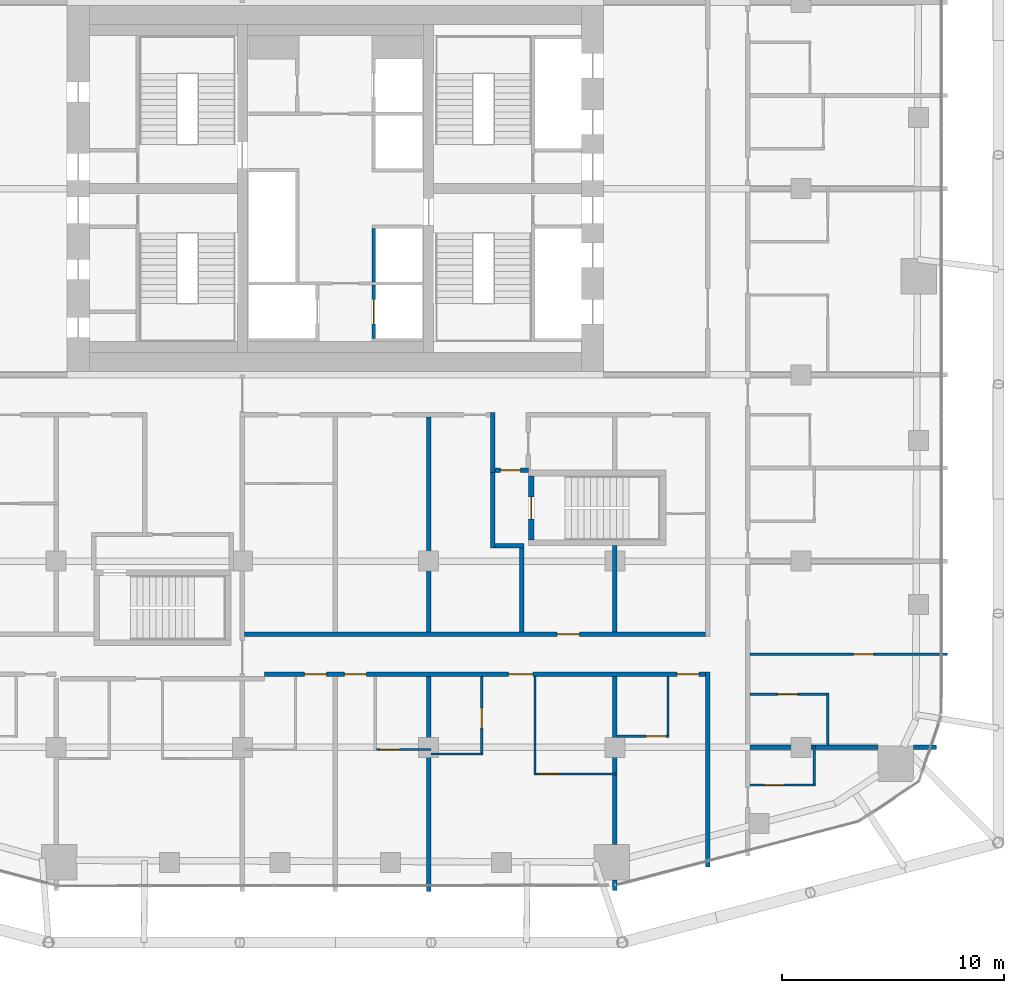
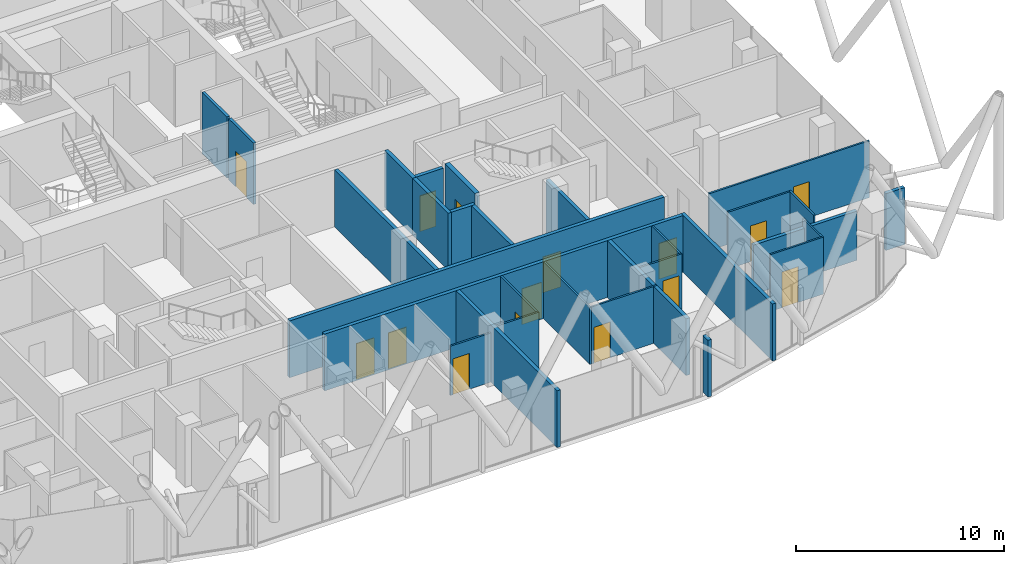
# One storey, part 29 of 36: 30 walls, 15 doors, 15 openings.
"""IFC4 building model written with IfcOpenShell, lengths in metres."""

import ifcopenshell
import ifcopenshell.guid

model = None  # the IFC model being written
_history = None  # IfcOwnerHistory: only IFC2X3 demands one
_inside = {}  # id of a spatial element -> (the spatial element, [elements in it])
_under = {}  # id of a project, library or spatial element -> (it, [spatial elements below it])
_declared = {}  # id of a project -> (the project, [libraries it declares])
_typed = {}  # id of a type object -> (the type object, [elements of that type])
_made_of = {}  # id of a material, layer set ... -> (it, [elements and type objects made of it])


def new_model(schema):
    """Start an empty IFC model of exactly this schema.

    Asked for "IFC4X3", IfcOpenShell would pick the latest addendum, in which some entities
    have other attributes; the version numbers below select the first issue.
    IFC2X3 requires an IfcOwnerHistory on every rooted entity: one is made here for all.
    """
    global model, _history
    if schema == "IFC4X3":
        model = ifcopenshell.file(schema_version=(4, 3, 0, 0))
    else:
        model = ifcopenshell.file(schema=schema)
    _inside.clear()
    _under.clear()
    _declared.clear()
    _typed.clear()
    _made_of.clear()
    _history = None
    if model.schema == "IFC2X3":
        org = make("IfcOrganization", Name="unknown")
        user = make(
            "IfcPersonAndOrganization",
            ThePerson=make("IfcPerson", FamilyName="unknown"),
            TheOrganization=org,
        )
        app = make(
            "IfcApplication",
            ApplicationDeveloper=org,
            Version="unknown",
            ApplicationFullName="unknown",
            ApplicationIdentifier="unknown",
        )
        _history = make(
            "IfcOwnerHistory",
            OwningUser=user,
            OwningApplication=app,
            ChangeAction="ADDED",
            CreationDate=0,
        )
    return model


def make(cls, **values):
    """One entity of the class cls with the attributes given. An attribute that is None is left unset."""
    return model.create_entity(
        cls, **{name: value for name, value in values.items() if value is not None}
    )


def rooted(cls, **values):
    """An entity with a GlobalId (a new one), such as an element, a storey or a relation."""
    return make(cls, GlobalId=ifcopenshell.guid.new(), OwnerHistory=_history, **values)


def si_unit(unit_type, name, prefix=None):
    """IfcSIUnit, for example si_unit("LENGTHUNIT", "METRE", prefix="MILLI")."""
    return make("IfcSIUnit", UnitType=unit_type, Prefix=prefix, Name=name)


def assignment(units):
    """IfcUnitAssignment: the units of a project."""
    return None if units is None else make("IfcUnitAssignment", Units=units)


def point(xyz):
    """IfcCartesianPoint."""
    return None if xyz is None else make("IfcCartesianPoint", Coordinates=xyz)


def direction(xyz):
    """IfcDirection."""
    return None if xyz is None else make("IfcDirection", DirectionRatios=xyz)


def frame(location, z_axis=None, x_axis=None):
    """IfcAxis2Placement3D, a coordinate frame: its origin and axes. An axis left out is left unset."""
    return make(
        "IfcAxis2Placement3D",
        Location=point(location),
        Axis=direction(z_axis),
        RefDirection=direction(x_axis),
    )


def frame_2d(location, x_axis=None):
    """IfcAxis2Placement2D, a coordinate frame in the plane: its origin and x axis."""
    return make(
        "IfcAxis2Placement2D", Location=point(location), RefDirection=direction(x_axis)
    )


def origin():
    """The frame at (0, 0, 0) with its axes left unset."""
    return frame((0.0, 0.0, 0.0))


def place(relative_to, where):
    """IfcLocalPlacement: puts the frame where relative to a parent placement (None: the world)."""
    return make(
        "IfcLocalPlacement", PlacementRelTo=relative_to, RelativePlacement=where
    )


def context(
    kind, dimensions, precision=None, world=None, true_north=None, identifier=None
):
    """IfcGeometricRepresentationContext, for example the 3D "Model" context."""
    return make(
        "IfcGeometricRepresentationContext",
        ContextIdentifier=identifier,
        ContextType=kind,
        CoordinateSpaceDimension=dimensions,
        Precision=precision,
        WorldCoordinateSystem=world,
        TrueNorth=true_north,
    )


def subcontext(parent, identifier, kind, view, scale=None):
    """IfcGeometricRepresentationSubContext, for example "Body" below "Model"."""
    return make(
        "IfcGeometricRepresentationSubContext",
        ContextIdentifier=identifier,
        ContextType=kind,
        ParentContext=parent,
        TargetScale=scale,
        TargetView=view,
    )


def project(units=None, contexts=None):
    """IfcProject with its units and contexts."""
    return rooted(
        "IfcProject",
        Name="project",
        RepresentationContexts=contexts,
        UnitsInContext=assignment(units),
    )


def spatial(cls, under=None, at=None, **own):
    """A site, building, storey or space (cls), placed at a placement, below another one or the project."""
    s = rooted(cls, ObjectPlacement=at, **own)
    if under is not None:
        _under.setdefault(under.id(), (under, []))[1].append(s)
    return s


def profile(cls, at=None, kind="AREA", **sizes):
    """A parametric profile (cls). Its sizes go by their IFC names, for example OverallWidth=200.0."""
    return make(cls, ProfileType=kind, Position=at, **sizes)


def rectangle(**sizes):
    """IfcRectangleProfileDef."""
    return profile("IfcRectangleProfileDef", **sizes)


def extrude(swept, where, along, depth):
    """IfcExtrudedAreaSolid: the profile swept, set in the frame where, extruded along a direction by depth."""
    return make(
        "IfcExtrudedAreaSolid",
        SweptArea=swept,
        Position=where,
        ExtrudedDirection=direction(along),
        Depth=depth,
    )


def shape(context_of_items, identifier, shape_type, items):
    """IfcShapeRepresentation: the items that make up one representation, for example the "Body"."""
    return make(
        "IfcShapeRepresentation",
        ContextOfItems=context_of_items,
        RepresentationIdentifier=identifier,
        RepresentationType=shape_type,
        Items=items,
    )


def material(Name=None, Category=None):
    """IfcMaterial."""
    return make("IfcMaterial", Name=Name, Category=Category)


def layer(
    of_material, thickness, ventilated=None, Name=None, Category=None, Priority=None
):
    """IfcMaterialLayer: one layer of a wall or slab, of a material (None: an air gap)."""
    return make(
        "IfcMaterialLayer",
        Material=of_material,
        LayerThickness=thickness,
        IsVentilated=ventilated,
        Name=Name,
        Category=Category,
        Priority=Priority,
    )


def layer_set(layers, Name=None):
    """IfcMaterialLayerSet."""
    return make("IfcMaterialLayerSet", MaterialLayers=layers, LayerSetName=Name)


def made_of(thing, what):
    """Note that an element or type object is made of a material, layer set ...; save() writes the relation."""
    if what is not None:
        _made_of.setdefault(what.id(), (what, []))[1].append(thing)
    return thing


def type_object(cls, material=None, **own):
    """A type object (cls), such as IfcWallType, which elements share."""
    return made_of(rooted(cls, **own), material)


def element(
    cls,
    number,
    at=None,
    inside=None,
    cuts=None,
    type_object=None,
    material=None,
    context=None,
    identifier="Body",
    shape_type=None,
    held_by="IfcProductDefinitionShape",
    body=None,
    shapes=None,
    **own,
):
    """One element of the class cls, such as IfcWall. Its Tag is "e" and its number.

    at: its placement. inside: the storey or other place that contains it. cuts: it is an
    opening in that element (IfcRelVoidsElement). A single representation is given by context,
    identifier, shape_type and body (its items); several are given by shapes. held_by: the class
    of the entity that holds the representations. save() writes the other relations.
    """
    e = rooted(cls, Tag="e%d" % number, ObjectPlacement=at, **own)
    if body is not None:
        shapes = [shape(context, identifier, shape_type, body)]
    if shapes is not None:
        e.Representation = make(held_by, Representations=shapes)
    if inside is not None:
        _inside.setdefault(inside.id(), (inside, []))[1].append(e)
    if cuts is not None:
        rooted(
            "IfcRelVoidsElement", RelatingBuildingElement=cuts, RelatedOpeningElement=e
        )
    if type_object is not None:
        _typed.setdefault(type_object.id(), (type_object, []))[1].append(e)
    return made_of(e, material)


def fill(opening, filler):
    """IfcRelFillsElement: the door or window that sits in an opening."""
    return rooted(
        "IfcRelFillsElement",
        RelatingOpeningElement=opening,
        RelatedBuildingElement=filler,
    )


def aggregate(whole, parts):
    """IfcRelAggregates: a whole, such as a stair, and the parts it consists of."""
    return rooted("IfcRelAggregates", RelatingObject=whole, RelatedObjects=parts)


def save(model, path):
    """Write the relations noted so far, then the file.

    IfcRelAggregates (storeys below a building ...), IfcRelContainedInSpatialStructure (elements
    in a storey), IfcRelDefinesByType, IfcRelAssociatesMaterial and IfcRelDeclares: one each for
    every whole, place, type object, material and project.
    """
    for whole, parts in _under.values():
        aggregate(whole, parts)
    for where, things in _inside.values():
        rooted(
            "IfcRelContainedInSpatialStructure",
            RelatedElements=things,
            RelatingStructure=where,
        )
    for kind, things in _typed.values():
        rooted("IfcRelDefinesByType", RelatedObjects=things, RelatingType=kind)
    for what, things in _made_of.values():
        rooted("IfcRelAssociatesMaterial", RelatedObjects=things, RelatingMaterial=what)
    for by, libraries in _declared.values():
        rooted("IfcRelDeclares", RelatingContext=by, RelatedDefinitions=libraries)
    model.write(path)


model = new_model("IFC4")

# Units and contexts
model_context = context("Model", 3, precision=1e-05, world=origin(), true_north=direction((0.0, 1.0)))
body_context = subcontext(model_context, "Body", "Model", "MODEL_VIEW")
ifc_project = project(units=[si_unit("LENGTHUNIT", "METRE"), si_unit("AREAUNIT", "SQUARE_METRE"), si_unit("VOLUMEUNIT", "CUBIC_METRE"), si_unit("PLANEANGLEUNIT", "RADIAN"), si_unit("MASSUNIT", "GRAM", prefix="KILO")], contexts=[model_context])

# Site, building, storey
site_placement = place(None, origin())
site = spatial("IfcSite", under=ifc_project, at=site_placement, CompositionType="ELEMENT")
building_placement = place(site_placement, origin())
building = spatial("IfcBuilding", under=site, at=building_placement, Name="Marenta Gate Hotel Tower", CompositionType="ELEMENT")
storey_placement = place(building_placement, frame((0.0, 0.0, 130.10009765625)))
storey = spatial("IfcBuildingStorey", under=building, at=storey_placement, Name="L29", CompositionType="ELEMENT", Elevation=130.10009765625)

# Wall, opening, door
ifc_material_1 = material(Name="Concrete C40", Category="concrete")
ifc_layer_1 = layer(ifc_material_1, 0.14990234375)
ifc_layer_set_1 = layer_set([ifc_layer_1], Name="Concrete C40")
wall_type_1 = type_object("IfcWallType", Name="Core shaft wall 150 REI 180", PredefinedType="SHEAR", material=ifc_layer_set_1)
wall_1_placement = place(storey_placement, frame((1.72509765625, 1.64990234375, 0.0), z_axis=(0.0, 0.0, 1.0), x_axis=(0.0, 1.0, 0.0)))
wall_1 = element("IfcWall", 1, at=wall_1_placement, inside=storey, type_object=wall_type_1, Name="L29-SHF-CE-S-ls", PredefinedType="SHEAR", context=body_context, shape_type="SweptSolid", body=[
    extrude(rectangle(XDim=2.400146484375, YDim=0.14990234375, at=frame_2d((1.2001953125, 0.0))), origin(), (0.0, 0.0, 1.0), 3.599853515625),
])
opening_1_placement = place(wall_1_placement, frame((0.64990234375, 0.0, 0.0)))
opening_1 = element("IfcOpeningElement", 2, at=opening_1_placement, cuts=wall_1, Name="Opening LD-SV1", PredefinedType="OPENING", context=body_context, shape_type="SweptSolid", body=[
    extrude(rectangle(XDim=1.10009765625, YDim=2.10009765625, at=frame_2d((0.550048828125, 1.050048828125))), frame((0.0, 0.074951171875, 0.0), z_axis=(0.0, -1.0, 0.0), x_axis=(1.0, 0.0, 0.0)), (0.0, 0.0, 1.0), 0.14990234375),
])
ifc_material_2 = material(Name="Steel", Category="steel")
door_type_1 = type_object("IfcDoorType", Name="Core lift landing door 1100x2100 E 60", OperationType="SLIDING_TO_LEFT", PredefinedType="DOOR", material=ifc_material_2)
door_1_placement = place(opening_1_placement, origin())
door_1 = element("IfcDoor", 3, at=door_1_placement, inside=storey, type_object=door_type_1, Name="LD-SV1", OperationType="SLIDING_TO_LEFT", OverallHeight=2.10009765625, OverallWidth=1.10009765625, PredefinedType="DOOR", context=body_context, shape_type="SweptSolid", body=[
    extrude(rectangle(XDim=1.10009765625, YDim=2.10009765625, at=frame_2d((0.550048828125, 1.050048828125))), frame((0.0, 0.02490234375, 0.0), z_axis=(0.0, -1.0, 0.0), x_axis=(1.0, 0.0, 0.0)), (0.0, 0.0, 1.0), 0.050048828125),
])
fill(opening_1, door_1)

# Wall
wall_2_placement = place(storey_placement, frame((1.72509765625, 4.199951171875, 0.0), z_axis=(0.0, 0.0, 1.0), x_axis=(0.0, 1.0, 0.0)))
element("IfcWall", 4, at=wall_2_placement, inside=storey, type_object=wall_type_1, Name="L29-SHF-CE-front-1", PredefinedType="SHEAR", context=body_context, shape_type="SweptSolid", body=[
    extrude(rectangle(XDim=2.400146484375, YDim=0.14990234375, at=frame_2d((1.2001953125, 0.0))), origin(), (0.0, 0.0, 1.0), 3.599853515625),
])

# Wall, opening, door
ifc_material_3 = material(Name="Concrete C40", Category="concrete")
ifc_layer_2 = layer(ifc_material_3, 0.25)
ifc_layer_set_2 = layer_set([ifc_layer_2], Name="Concrete C40")
wall_type_2 = type_object("IfcWallType", Name="Remote stair enclosure wall 250 REI 180", PredefinedType="SHEAR", material=ifc_layer_set_2)
wall_3_placement = place(storey_placement, frame((8.824951171875, -7.449951171875, 0.099853515625), z_axis=(0.0, 0.0, 1.0), x_axis=(0.0, 1.0, 0.0)))
wall_3 = element("IfcWall", 5, at=wall_3_placement, inside=storey, type_object=wall_type_2, Name="L29-RS-Z2-2-W3", PredefinedType="SHEAR", context=body_context, shape_type="SweptSolid", body=[
    extrude(rectangle(XDim=2.89990234375, YDim=0.25, at=frame_2d((1.449951171875, 0.0))), origin(), (0.0, 0.0, 1.0), 3.60009765625),
])
opening_2_placement = place(wall_3_placement, frame((0.949951171875, 0.0, 0.0)))
opening_2 = element("IfcOpeningElement", 6, at=opening_2_placement, cuts=wall_3, Name="Opening VD", PredefinedType="OPENING", context=body_context, shape_type="SweptSolid", body=[
    extrude(rectangle(XDim=1.0, YDim=2.10009765625, at=frame_2d((0.5, 1.050048828125))), frame((0.0, 0.125, 0.0), z_axis=(0.0, -1.0, 0.0), x_axis=(1.0, 0.0, 0.0)), (0.0, 0.0, 1.0), 0.25),
])
ifc_material_4 = material(Name="Steel", Category="steel")
door_type_2 = type_object("IfcDoorType", Name="Stair vestibule door 1000x2100 FD60", OperationType="SINGLE_SWING_LEFT", PredefinedType="DOOR", material=ifc_material_4)
door_2_placement = place(opening_2_placement, origin())
door_2 = element("IfcDoor", 7, at=door_2_placement, inside=storey, type_object=door_type_2, Name="VD", OperationType="SINGLE_SWING_LEFT", OverallHeight=2.10009765625, OverallWidth=1.0, PredefinedType="DOOR", context=body_context, shape_type="SweptSolid", body=[
    extrude(rectangle(XDim=1.0, YDim=2.10009765625, at=frame_2d((0.5, 1.050048828125))), frame((0.0, 0.02490234375, 0.0), z_axis=(0.0, -1.0, 0.0), x_axis=(1.0, 0.0, 0.0)), (0.0, 0.0, 1.0), 0.050048828125),
])
fill(opening_2, door_2)

ifc_material_5 = material(Name="Concrete blockwork", Category="masonry")
ifc_layer_3 = layer(ifc_material_5, 0.199951171875)
ifc_layer_set_3 = layer_set([ifc_layer_3], Name="Concrete blockwork")
wall_type_3 = type_object("IfcWallType", Name="Room corridor wall 200 EI 120", PredefinedType="PARTITIONING", material=ifc_layer_set_3)
wall_4_placement = place(storey_placement, frame((-4.10009765625, -11.699951171875, 0.0), z_axis=(0.0, 0.0, 1.0), x_axis=(1.0, 0.0, 0.0)))
wall_4 = element("IfcWall", 8, at=wall_4_placement, inside=storey, type_object=wall_type_3, Name="L29-PTN-W040", PredefinedType="PARTITIONING", context=body_context, shape_type="SweptSolid", body=[
    extrude(rectangle(XDim=20.800048828125, YDim=0.199951171875, at=frame_2d((10.39990234375, 0.0))), origin(), (0.0, 0.0, 1.0), 3.33984375),
])
opening_3_placement = place(wall_4_placement, frame((14.10009765625, 0.0, 0.0)))
opening_3 = element("IfcOpeningElement", 9, at=opening_3_placement, cuts=wall_4, Name="Opening G10-73", PredefinedType="OPENING", context=body_context, shape_type="SweptSolid", body=[
    extrude(rectangle(XDim=1.0, YDim=2.10009765625, at=frame_2d((0.5, 1.050048828125))), frame((0.0, 0.10009765625, 0.0), z_axis=(0.0, -1.0, 0.0), x_axis=(1.0, 0.0, 0.0)), (0.0, 0.0, 1.0), 0.199951171875),
])
ifc_material_6 = material(Name="Timber door leaf", Category="wood")
door_type_3 = type_object("IfcDoorType", Name="Room amenity door 1000x2100 EI 60", OperationType="NOTDEFINED", PredefinedType="DOOR", material=ifc_material_6)
door_3_placement = place(opening_3_placement, origin())
door_3 = element("IfcDoor", 10, at=door_3_placement, inside=storey, type_object=door_type_3, Name="L29-PD-D073", OperationType="SINGLE_SWING_LEFT", OverallHeight=2.10009765625, OverallWidth=1.0, PredefinedType="DOOR", context=body_context, shape_type="SweptSolid", body=[
    extrude(rectangle(XDim=1.0, YDim=2.10009765625, at=frame_2d((0.5, 1.050048828125))), frame((0.0, 0.02490234375, 0.0), z_axis=(0.0, -1.0, 0.0), x_axis=(1.0, 0.0, 0.0)), (0.0, 0.0, 1.0), 0.050048828125),
])
fill(opening_3, door_3)

# Wall
ifc_material_7 = material(Name="Gypsum board on steel stud", Category="steel")
ifc_layer_4 = layer(ifc_material_7, 0.199951171875)
ifc_layer_set_4 = layer_set([ifc_layer_4], Name="Gypsum board on steel stud")
wall_type_4 = type_object("IfcWallType", Name="Room corridor wall 200 EI 60", PredefinedType="PARTITIONING", material=ifc_layer_set_4)
wall_5_placement = place(storey_placement, frame((16.800048828125, -22.18603515625, 0.0), z_axis=(0.0, 0.0, 1.0), x_axis=(0.0, 1.0, 0.0)))
element("IfcWall", 11, at=wall_5_placement, inside=storey, type_object=wall_type_4, Name="L29-PTN-W020", PredefinedType="PARTITIONING", context=body_context, shape_type="SweptSolid", body=[
    extrude(rectangle(XDim=8.7861328125, YDim=0.199951171875, at=frame_2d((4.39306640625, 0.0))), origin(), (0.0, 0.0, 1.0), 3.33984375),
])

# Wall, openings, doors
wall_6_placement = place(storey_placement, frame((-3.199951171875, -13.5, 0.0), z_axis=(0.0, 0.0, 1.0), x_axis=(1.0, 0.0, 0.0)))
wall_6 = element("IfcWall", 12, at=wall_6_placement, inside=storey, type_object=wall_type_4, Name="L29-PTN-W032", PredefinedType="PARTITIONING", context=body_context, shape_type="SweptSolid", body=[
    extrude(rectangle(XDim=19.89990234375, YDim=0.199951171875, at=frame_2d((9.949951171875, 0.0))), origin(), (0.0, 0.0, 1.0), 3.33984375),
])
opening_4_placement = place(wall_6_placement, frame((1.800048828125, 0.0, 0.0)))
opening_4 = element("IfcOpeningElement", 13, at=opening_4_placement, cuts=wall_6, Name="Opening G10-45", PredefinedType="OPENING", context=body_context, shape_type="SweptSolid", body=[
    extrude(rectangle(XDim=1.0, YDim=2.10009765625, at=frame_2d((0.5, 1.050048828125))), frame((0.0, 0.10009765625, 0.0), z_axis=(0.0, -1.0, 0.0), x_axis=(1.0, 0.0, 0.0)), (0.0, 0.0, 1.0), 0.199951171875),
])
opening_5_placement = place(wall_6_placement, frame((3.60009765625, 0.0, 0.0)))
opening_5 = element("IfcOpeningElement", 14, at=opening_5_placement, cuts=wall_6, Name="Opening G10-47", PredefinedType="OPENING", context=body_context, shape_type="SweptSolid", body=[
    extrude(rectangle(XDim=1.0, YDim=2.10009765625, at=frame_2d((0.5, 1.050048828125))), frame((0.0, 0.10009765625, 0.0), z_axis=(0.0, -1.0, 0.0), x_axis=(1.0, 0.0, 0.0)), (0.0, 0.0, 1.0), 0.199951171875),
])
opening_6_placement = place(wall_6_placement, frame((11.0, 0.0, 0.0)))
opening_6 = element("IfcOpeningElement", 15, at=opening_6_placement, cuts=wall_6, Name="Opening G10-49", PredefinedType="OPENING", context=body_context, shape_type="SweptSolid", body=[
    extrude(rectangle(XDim=1.10009765625, YDim=2.10009765625, at=frame_2d((0.550048828125, 1.050048828125))), frame((0.0, 0.10009765625, 0.0), z_axis=(0.0, -1.0, 0.0), x_axis=(1.0, 0.0, 0.0)), (0.0, 0.0, 1.0), 0.199951171875),
])
opening_7_placement = place(wall_6_placement, frame((18.60009765625, 0.0, 0.0)))
opening_7 = element("IfcOpeningElement", 16, at=opening_7_placement, cuts=wall_6, Name="Opening G10-52", PredefinedType="OPENING", context=body_context, shape_type="SweptSolid", body=[
    extrude(rectangle(XDim=1.0, YDim=2.10009765625, at=frame_2d((0.5, 1.050048828125))), frame((0.0, 0.10009765625, 0.0), z_axis=(0.0, -1.0, 0.0), x_axis=(1.0, 0.0, 0.0)), (0.0, 0.0, 1.0), 0.199951171875),
])
ifc_material_8 = material(Name="Timber door leaf", Category="wood")
door_type_4 = type_object("IfcDoorType", Name="Guest room door 1000x2100 EI 30", OperationType="NOTDEFINED", PredefinedType="DOOR", material=ifc_material_8)
door_4_placement = place(opening_4_placement, origin())
door_4 = element("IfcDoor", 17, at=door_4_placement, inside=storey, type_object=door_type_4, Name="L29-PD-D045", OperationType="SINGLE_SWING_LEFT", OverallHeight=2.10009765625, OverallWidth=1.0, PredefinedType="DOOR", context=body_context, shape_type="SweptSolid", body=[
    extrude(rectangle(XDim=1.0, YDim=2.10009765625, at=frame_2d((0.5, 1.050048828125))), frame((0.0, 0.02490234375, 0.0), z_axis=(0.0, -1.0, 0.0), x_axis=(1.0, 0.0, 0.0)), (0.0, 0.0, 1.0), 0.050048828125),
])
fill(opening_4, door_4)
door_5_placement = place(opening_5_placement, origin())
door_5 = element("IfcDoor", 18, at=door_5_placement, inside=storey, type_object=door_type_4, Name="L29-PD-D047", OperationType="SINGLE_SWING_LEFT", OverallHeight=2.10009765625, OverallWidth=1.0, PredefinedType="DOOR", context=body_context, shape_type="SweptSolid", body=[
    extrude(rectangle(XDim=1.0, YDim=2.10009765625, at=frame_2d((0.5, 1.050048828125))), frame((0.0, 0.02490234375, 0.0), z_axis=(0.0, -1.0, 0.0), x_axis=(1.0, 0.0, 0.0)), (0.0, 0.0, 1.0), 0.050048828125),
])
fill(opening_5, door_5)
door_6_placement = place(opening_7_placement, origin())
door_6 = element("IfcDoor", 19, at=door_6_placement, inside=storey, type_object=door_type_4, Name="L29-PD-D052", OperationType="SINGLE_SWING_LEFT", OverallHeight=2.10009765625, OverallWidth=1.0, PredefinedType="DOOR", context=body_context, shape_type="SweptSolid", body=[
    extrude(rectangle(XDim=1.0, YDim=2.10009765625, at=frame_2d((0.5, 1.050048828125))), frame((0.0, 0.02490234375, 0.0), z_axis=(0.0, -1.0, 0.0), x_axis=(1.0, 0.0, 0.0)), (0.0, 0.0, 1.0), 0.050048828125),
])
fill(opening_7, door_6)
ifc_material_9 = material(Name="Timber door leaf", Category="wood")
door_type_5 = type_object("IfcDoorType", Name="Guest room door 1100x2100 EI 30", OperationType="NOTDEFINED", PredefinedType="DOOR", material=ifc_material_9)
door_7_placement = place(opening_6_placement, origin())
door_7 = element("IfcDoor", 20, at=door_7_placement, inside=storey, type_object=door_type_5, Name="L29-PD-D049", OperationType="SINGLE_SWING_LEFT", OverallHeight=2.10009765625, OverallWidth=1.10009765625, PredefinedType="DOOR", context=body_context, shape_type="SweptSolid", body=[
    extrude(rectangle(XDim=1.10009765625, YDim=2.10009765625, at=frame_2d((0.550048828125, 1.050048828125))), frame((0.0, 0.02490234375, 0.0), z_axis=(0.0, -1.0, 0.0), x_axis=(1.0, 0.0, 0.0)), (0.0, 0.0, 1.0), 0.050048828125),
])
fill(opening_6, door_7)

# Wall
wall_7_placement = place(storey_placement, frame((7.10009765625, -4.39990234375, 0.0), z_axis=(0.0, 0.0, 1.0), x_axis=(0.0, 1.0, 0.0)))
element("IfcWall", 21, at=wall_7_placement, inside=storey, type_object=wall_type_4, Name="L29-PTN-W054", PredefinedType="PARTITIONING", context=body_context, shape_type="SweptSolid", body=[
    extrude(rectangle(XDim=2.699951171875, YDim=0.199951171875, at=frame_2d((1.35009765625, 0.0))), origin(), (0.0, 0.0, 1.0), 3.33984375),
])

# Wall, opening, door
ifc_material_10 = material(Name="Concrete blockwork", Category="masonry")
ifc_layer_5 = layer(ifc_material_10, 0.199951171875)
ifc_layer_set_5 = layer_set([ifc_layer_5], Name="Concrete blockwork")
wall_type_5 = type_object("IfcWallType", Name="Room corridor wall 200 REI 180", PredefinedType="PARTITIONING", material=ifc_layer_set_5)
wall_8_placement = place(storey_placement, frame((7.199951171875, -4.300048828125, 0.0), z_axis=(0.0, 0.0, 1.0), x_axis=(1.0, 0.0, 0.0)))
wall_8 = element("IfcWall", 22, at=wall_8_placement, inside=storey, type_object=wall_type_5, Name="L29-PTN-W060", PredefinedType="PARTITIONING", context=body_context, shape_type="SweptSolid", body=[
    extrude(rectangle(XDim=1.5, YDim=0.199951171875, at=frame_2d((0.75, 0.0))), origin(), (0.0, 0.0, 1.0), 3.33984375),
])
opening_8_placement = place(wall_8_placement, frame((0.25, 0.0, 0.0)))
opening_8 = element("IfcOpeningElement", 23, at=opening_8_placement, cuts=wall_8, Name="Opening G10-71", PredefinedType="OPENING", context=body_context, shape_type="SweptSolid", body=[
    extrude(rectangle(XDim=0.89990234375, YDim=2.10009765625, at=frame_2d((0.449951171875, 1.050048828125))), frame((0.0, 0.10009765625, 0.0), z_axis=(0.0, -1.0, 0.0), x_axis=(1.0, 0.0, 0.0)), (0.0, 0.0, 1.0), 0.199951171875),
])
ifc_material_11 = material(Name="Hollow steel door set", Category="steel")
door_type_6 = type_object("IfcDoorType", Name="Stair vestibule door 900x2100 EI 60", OperationType="NOTDEFINED", PredefinedType="DOOR", material=ifc_material_11)
door_8_placement = place(opening_8_placement, origin())
door_8 = element("IfcDoor", 24, at=door_8_placement, inside=storey, type_object=door_type_6, Name="L29-PD-D071", OperationType="SINGLE_SWING_LEFT", OverallHeight=2.10009765625, OverallWidth=0.89990234375, PredefinedType="DOOR", context=body_context, shape_type="SweptSolid", body=[
    extrude(rectangle(XDim=0.89990234375, YDim=2.10009765625, at=frame_2d((0.449951171875, 1.050048828125))), frame((0.0, 0.02490234375, 0.0), z_axis=(0.0, -1.0, 0.0), x_axis=(1.0, 0.0, 0.0)), (0.0, 0.0, 1.0), 0.050048828125),
])
fill(opening_8, door_8)

# Walls
ifc_material_12 = material(Name="Gypsum board on steel stud", Category="steel")
ifc_layer_6 = layer(ifc_material_12, 0.10009765625)
ifc_layer_set_6 = layer_set([ifc_layer_6], Name="Gypsum board on steel stud")
wall_type_6 = type_object("IfcWallType", Name="Room partition 100", PredefinedType="PARTITIONING", material=ifc_layer_set_6)
wall_9_placement = place(storey_placement, frame((22.199951171875, -16.699951171875, 0.0), z_axis=(0.0, 0.0, 1.0), x_axis=(0.0, 1.0, 0.0)))
element("IfcWall", 25, at=wall_9_placement, inside=storey, type_object=wall_type_6, Name="L29-PTN-W001", PredefinedType="PARTITIONING", context=body_context, shape_type="SweptSolid", body=[
    extrude(rectangle(XDim=2.349853515625, YDim=0.10009765625, at=frame_2d((1.1748046875, 0.0))), origin(), (0.0, 0.0, 1.0), 3.33984375),
])
wall_10_placement = place(storey_placement, frame((21.60009765625, -18.449951171875, 0.0), z_axis=(0.0, 0.0, 1.0), x_axis=(0.0, 1.0, 0.0)))
element("IfcWall", 26, at=wall_10_placement, inside=storey, type_object=wall_type_6, Name="L29-PTN-W005", PredefinedType="PARTITIONING", context=body_context, shape_type="SweptSolid", body=[
    extrude(rectangle(XDim=1.75, YDim=0.10009765625, at=frame_2d((0.875, 0.0))), origin(), (0.0, 0.0, 1.0), 3.33984375),
])

# Wall, opening, door
wall_11_placement = place(storey_placement, frame((18.699951171875, -18.5, 0.0), z_axis=(0.0, 0.0, 1.0), x_axis=(1.0, 0.0, 0.0)))
wall_11 = element("IfcWall", 27, at=wall_11_placement, inside=storey, type_object=wall_type_6, Name="L29-PTN-W013", PredefinedType="PARTITIONING", context=body_context, shape_type="SweptSolid", body=[
    extrude(rectangle(XDim=2.949951171875, YDim=0.10009765625, at=frame_2d((1.47509765625, 0.0))), origin(), (0.0, 0.0, 1.0), 3.33984375),
])
opening_9_placement = place(wall_11_placement, frame((0.64990234375, 0.0, 0.0)))
opening_9 = element("IfcOpeningElement", 28, at=opening_9_placement, cuts=wall_11, Name="Opening G10-11", PredefinedType="OPENING", context=body_context, shape_type="SweptSolid", body=[
    extrude(rectangle(XDim=0.89990234375, YDim=2.10009765625, at=frame_2d((0.449951171875, 1.050048828125))), frame((0.0, 0.050048828125, 0.0), z_axis=(0.0, -1.0, 0.0), x_axis=(1.0, 0.0, 0.0)), (0.0, 0.0, 1.0), 0.10009765625),
])
ifc_material_13 = material(Name="Timber door leaf", Category="wood")
door_type_7 = type_object("IfcDoorType", Name="Guest bathroom door 900x2100", OperationType="NOTDEFINED", PredefinedType="DOOR", material=ifc_material_13)
door_9_placement = place(opening_9_placement, origin())
door_9 = element("IfcDoor", 29, at=door_9_placement, inside=storey, type_object=door_type_7, Name="L29-PD-D011", OperationType="SINGLE_SWING_LEFT", OverallHeight=2.10009765625, OverallWidth=0.89990234375, PredefinedType="DOOR", context=body_context, shape_type="SweptSolid", body=[
    extrude(rectangle(XDim=0.89990234375, YDim=2.10009765625, at=frame_2d((0.449951171875, 1.050048828125))), frame((0.0, 0.02490234375, 0.0), z_axis=(0.0, -1.0, 0.0), x_axis=(1.0, 0.0, 0.0)), (0.0, 0.0, 1.0), 0.050048828125),
])
fill(opening_9, door_9)

wall_12_placement = place(storey_placement, frame((9.050048828125, -18.0, 0.0), z_axis=(0.0, 0.0, 1.0), x_axis=(1.0, 0.0, 0.0)))
wall_12 = element("IfcWall", 30, at=wall_12_placement, inside=storey, type_object=wall_type_6, Name="L29-PTN-W014", PredefinedType="PARTITIONING", context=body_context, shape_type="SweptSolid", body=[
    extrude(rectangle(XDim=3.64990234375, YDim=0.10009765625, at=frame_2d((1.824951171875, 0.0))), origin(), (0.0, 0.0, 1.0), 3.33984375),
])
opening_10_placement = place(wall_12_placement, frame((0.14990234375, 0.0, 0.0)))
opening_10 = element("IfcOpeningElement", 31, at=opening_10_placement, cuts=wall_12, Name="Opening G10-50", PredefinedType="OPENING", context=body_context, shape_type="SweptSolid", body=[
    extrude(rectangle(XDim=0.89990234375, YDim=2.10009765625, at=frame_2d((0.449951171875, 1.050048828125))), frame((0.0, 0.050048828125, 0.0), z_axis=(0.0, -1.0, 0.0), x_axis=(1.0, 0.0, 0.0)), (0.0, 0.0, 1.0), 0.10009765625),
])
door_10_placement = place(opening_10_placement, origin())
door_10 = element("IfcDoor", 32, at=door_10_placement, inside=storey, type_object=door_type_7, Name="L29-PD-D050", OperationType="SINGLE_SWING_LEFT", OverallHeight=2.10009765625, OverallWidth=0.89990234375, PredefinedType="DOOR", context=body_context, shape_type="SweptSolid", body=[
    extrude(rectangle(XDim=0.89990234375, YDim=2.10009765625, at=frame_2d((0.449951171875, 1.050048828125))), frame((0.0, 0.02490234375, 0.0), z_axis=(0.0, -1.0, 0.0), x_axis=(1.0, 0.0, 0.0)), (0.0, 0.0, 1.0), 0.050048828125),
])
fill(opening_10, door_10)

# Wall
wall_13_placement = place(storey_placement, frame((4.300048828125, -17.10009765625, 0.0), z_axis=(0.0, 0.0, 1.0), x_axis=(1.0, 0.0, 0.0)))
element("IfcWall", 33, at=wall_13_placement, inside=storey, type_object=wall_type_6, Name="L29-PTN-W017", PredefinedType="PARTITIONING", context=body_context, shape_type="SweptSolid", body=[
    extrude(rectangle(XDim=2.349853515625, YDim=0.10009765625, at=frame_2d((1.1748046875, 0.0))), origin(), (0.0, 0.0, 1.0), 3.33984375),
])

# Wall, opening, door
wall_14_placement = place(storey_placement, frame((1.85009765625, -16.89990234375, 0.0), z_axis=(0.0, 0.0, 1.0), x_axis=(1.0, 0.0, 0.0)))
wall_14 = element("IfcWall", 34, at=wall_14_placement, inside=storey, type_object=wall_type_6, Name="L29-PTN-W019", PredefinedType="PARTITIONING", context=body_context, shape_type="SweptSolid", body=[
    extrude(rectangle(XDim=2.449951171875, YDim=0.10009765625, at=frame_2d((1.22509765625, 0.0))), origin(), (0.0, 0.0, 1.0), 2.889892578125),
])
opening_11_placement = place(wall_14_placement, frame((0.14990234375, 0.0, 0.0)))
opening_11 = element("IfcOpeningElement", 35, at=opening_11_placement, cuts=wall_14, Name="Opening G10-48", PredefinedType="OPENING", context=body_context, shape_type="SweptSolid", body=[
    extrude(rectangle(XDim=0.89990234375, YDim=2.10009765625, at=frame_2d((0.449951171875, 1.050048828125))), frame((0.0, 0.050048828125, 0.0), z_axis=(0.0, -1.0, 0.0), x_axis=(1.0, 0.0, 0.0)), (0.0, 0.0, 1.0), 0.10009765625),
])
door_11_placement = place(opening_11_placement, origin())
door_11 = element("IfcDoor", 36, at=door_11_placement, inside=storey, type_object=door_type_7, Name="L29-PD-D048", OperationType="SINGLE_SWING_LEFT", OverallHeight=2.10009765625, OverallWidth=0.89990234375, PredefinedType="DOOR", context=body_context, shape_type="SweptSolid", body=[
    extrude(rectangle(XDim=0.89990234375, YDim=2.10009765625, at=frame_2d((0.449951171875, 1.050048828125))), frame((0.0, 0.02490234375, 0.0), z_axis=(0.0, -1.0, 0.0), x_axis=(1.0, 0.0, 0.0)), (0.0, 0.0, 1.0), 0.050048828125),
])
fill(opening_11, door_11)

wall_15_placement = place(storey_placement, frame((12.699951171875, -16.300048828125, 0.0), z_axis=(0.0, 0.0, 1.0), x_axis=(1.0, 0.0, 0.0)))
wall_15 = element("IfcWall", 37, at=wall_15_placement, inside=storey, type_object=wall_type_6, Name="L29-PTN-W026", PredefinedType="PARTITIONING", context=body_context, shape_type="SweptSolid", body=[
    extrude(rectangle(XDim=2.35009765625, YDim=0.10009765625, at=frame_2d((1.175048828125, 0.0))), origin(), (0.0, 0.0, 1.0), 3.33984375),
])
opening_12_placement = place(wall_15_placement, frame((1.300048828125, 0.0, 0.0)))
opening_12 = element("IfcOpeningElement", 38, at=opening_12_placement, cuts=wall_15, Name="Opening G10-53", PredefinedType="OPENING", context=body_context, shape_type="SweptSolid", body=[
    extrude(rectangle(XDim=0.89990234375, YDim=2.10009765625, at=frame_2d((0.449951171875, 1.050048828125))), frame((0.0, 0.050048828125, 0.0), z_axis=(0.0, -1.0, 0.0), x_axis=(1.0, 0.0, 0.0)), (0.0, 0.0, 1.0), 0.10009765625),
])
door_12_placement = place(opening_12_placement, origin())
door_12 = element("IfcDoor", 39, at=door_12_placement, inside=storey, type_object=door_type_7, Name="L29-PD-D053", OperationType="SINGLE_SWING_RIGHT", OverallHeight=2.10009765625, OverallWidth=0.89990234375, PredefinedType="DOOR", context=body_context, shape_type="SweptSolid", body=[
    extrude(rectangle(XDim=0.89990234375, YDim=2.10009765625, at=frame_2d((0.449951171875, 1.050048828125))), frame((0.0, 0.02490234375, 0.0), z_axis=(0.0, -1.0, 0.0), x_axis=(1.0, 0.0, 0.0)), (0.0, 0.0, 1.0), 0.050048828125),
])
fill(opening_12, door_12)

# Wall
wall_16_placement = place(storey_placement, frame((15.0, -16.25, 0.0), z_axis=(0.0, 0.0, 1.0), x_axis=(0.0, 1.0, 0.0)))
element("IfcWall", 40, at=wall_16_placement, inside=storey, type_object=wall_type_6, Name="L29-PTN-W027", PredefinedType="PARTITIONING", context=body_context, shape_type="SweptSolid", body=[
    extrude(rectangle(XDim=2.64990234375, YDim=0.10009765625, at=frame_2d((1.324951171875, 0.0))), origin(), (0.0, 0.0, 1.0), 3.33984375),
])

# Wall, opening, door
wall_17_placement = place(storey_placement, frame((18.699951171875, -14.39990234375, 0.0), z_axis=(0.0, 0.0, 1.0), x_axis=(1.0, 0.0, 0.0)))
wall_17 = element("IfcWall", 41, at=wall_17_placement, inside=storey, type_object=wall_type_6, Name="L29-PTN-W029", PredefinedType="PARTITIONING", context=body_context, shape_type="SweptSolid", body=[
    extrude(rectangle(XDim=3.449951171875, YDim=0.10009765625, at=frame_2d((1.72509765625, 0.0))), origin(), (0.0, 0.0, 1.0), 3.33984375),
])
opening_13_placement = place(wall_17_placement, frame((1.25, 0.0, 0.0)))
opening_13 = element("IfcOpeningElement", 42, at=opening_13_placement, cuts=wall_17, Name="Opening G10-14", PredefinedType="OPENING", context=body_context, shape_type="SweptSolid", body=[
    extrude(rectangle(XDim=0.89990234375, YDim=2.10009765625, at=frame_2d((0.449951171875, 1.050048828125))), frame((0.0, 0.050048828125, 0.0), z_axis=(0.0, -1.0, 0.0), x_axis=(1.0, 0.0, 0.0)), (0.0, 0.0, 1.0), 0.10009765625),
])
door_13_placement = place(opening_13_placement, origin())
door_13 = element("IfcDoor", 43, at=door_13_placement, inside=storey, type_object=door_type_7, Name="L29-PD-D014", OperationType="SINGLE_SWING_RIGHT", OverallHeight=2.10009765625, OverallWidth=0.89990234375, PredefinedType="DOOR", context=body_context, shape_type="SweptSolid", body=[
    extrude(rectangle(XDim=0.89990234375, YDim=2.10009765625, at=frame_2d((0.449951171875, 1.050048828125))), frame((0.0, 0.02490234375, 0.0), z_axis=(0.0, -1.0, 0.0), x_axis=(1.0, 0.0, 0.0)), (0.0, 0.0, 1.0), 0.050048828125),
])
fill(opening_13, door_13)

wall_18_placement = place(storey_placement, frame((18.699951171875, -12.60009765625, 0.0), z_axis=(0.0, 0.0, 1.0), x_axis=(1.0, 0.0, 0.0)))
wall_18 = element("IfcWall", 44, at=wall_18_placement, inside=storey, type_object=wall_type_6, Name="L29-PTN-W038", PredefinedType="PARTITIONING", context=body_context, shape_type="SweptSolid", body=[
    extrude(rectangle(XDim=8.900146484375, YDim=0.10009765625, at=frame_2d((4.4501953125, 0.0))), origin(), (0.0, 0.0, 1.0), 3.33984375),
])
opening_14_placement = place(wall_18_placement, frame((4.669921875, 0.0, 0.0)))
opening_14 = element("IfcOpeningElement", 45, at=opening_14_placement, cuts=wall_18, Name="Opening G10-13", PredefinedType="OPENING", context=body_context, shape_type="SweptSolid", body=[
    extrude(rectangle(XDim=0.89990234375, YDim=2.10009765625, at=frame_2d((0.449951171875, 1.050048828125))), frame((0.0, 0.050048828125, 0.0), z_axis=(0.0, -1.0, 0.0), x_axis=(1.0, 0.0, 0.0)), (0.0, 0.0, 1.0), 0.10009765625),
])
ifc_material_14 = material(Name="Timber door leaf", Category="wood")
door_type_8 = type_object("IfcDoorType", Name="Room inner door 900x2100", OperationType="NOTDEFINED", PredefinedType="DOOR", material=ifc_material_14)
door_14_placement = place(opening_14_placement, origin())
door_14 = element("IfcDoor", 46, at=door_14_placement, inside=storey, type_object=door_type_8, Name="L29-PD-D013", OperationType="SINGLE_SWING_RIGHT", OverallHeight=2.10009765625, OverallWidth=0.89990234375, PredefinedType="DOOR", context=body_context, shape_type="SweptSolid", body=[
    extrude(rectangle(XDim=0.89990234375, YDim=2.10009765625, at=frame_2d((0.449951171875, 1.050048828125))), frame((0.0, 0.02490234375, 0.0), z_axis=(0.0, -1.0, 0.0), x_axis=(1.0, 0.0, 0.0)), (0.0, 0.0, 1.0), 0.050048828125),
])
fill(opening_14, door_14)

# Wall
wall_19_placement = place(storey_placement, frame((9.0, -18.050048828125, 0.0), z_axis=(0.0, 0.0, 1.0), x_axis=(0.0, 1.0, 0.0)))
element("IfcWall", 47, at=wall_19_placement, inside=storey, type_object=wall_type_6, Name="L29-PTN-W044", PredefinedType="PARTITIONING", context=body_context, shape_type="SweptSolid", body=[
    extrude(rectangle(XDim=4.449951171875, YDim=0.10009765625, at=frame_2d((2.22509765625, 0.0))), origin(), (0.0, 0.0, 1.0), 3.33984375),
])

# Wall, opening, door
wall_20_placement = place(storey_placement, frame((6.60009765625, -17.050048828125, 0.0), z_axis=(0.0, 0.0, 1.0), x_axis=(0.0, 1.0, 0.0)))
wall_20 = element("IfcWall", 48, at=wall_20_placement, inside=storey, type_object=wall_type_6, Name="L29-PTN-W055", PredefinedType="PARTITIONING", context=body_context, shape_type="SweptSolid", body=[
    extrude(rectangle(XDim=3.449951171875, YDim=0.10009765625, at=frame_2d((1.72509765625, 0.0))), origin(), (0.0, 0.0, 1.0), 3.33984375),
])
opening_15_placement = place(wall_20_placement, frame((1.1201171875, 0.0, 0.0)))
opening_15 = element("IfcOpeningElement", 49, at=opening_15_placement, cuts=wall_20, Name="Opening G10-51", PredefinedType="OPENING", context=body_context, shape_type="SweptSolid", body=[
    extrude(rectangle(XDim=0.89990234375, YDim=2.10009765625, at=frame_2d((0.449951171875, 1.050048828125))), frame((0.0, 0.050048828125, 0.0), z_axis=(0.0, -1.0, 0.0), x_axis=(1.0, 0.0, 0.0)), (0.0, 0.0, 1.0), 0.10009765625),
])
door_15_placement = place(opening_15_placement, origin())
door_15 = element("IfcDoor", 50, at=door_15_placement, inside=storey, type_object=door_type_8, Name="L29-PD-D051", OperationType="SINGLE_SWING_LEFT", OverallHeight=2.10009765625, OverallWidth=0.89990234375, PredefinedType="DOOR", context=body_context, shape_type="SweptSolid", body=[
    extrude(rectangle(XDim=0.89990234375, YDim=2.10009765625, at=frame_2d((0.449951171875, 1.050048828125))), frame((0.0, 0.02490234375, 0.0), z_axis=(0.0, -1.0, 0.0), x_axis=(1.0, 0.0, 0.0)), (0.0, 0.0, 1.0), 0.050048828125),
])
fill(opening_15, door_15)

# Walls
ifc_material_15 = material(Name="Concrete blockwork", Category="masonry")
ifc_layer_7 = layer(ifc_material_15, 0.199951171875)
ifc_layer_set_7 = layer_set([ifc_layer_7], Name="Concrete blockwork")
wall_type_7 = type_object("IfcWallType", Name="Room party wall 200 EI 120", PredefinedType="PARTITIONING", material=ifc_layer_set_7)
wall_21_placement = place(storey_placement, frame((12.60009765625, -11.60009765625, 0.0), z_axis=(0.0, 0.0, 1.0), x_axis=(0.0, 1.0, 0.0)))
element("IfcWall", 51, at=wall_21_placement, inside=storey, type_object=wall_type_7, Name="L29-PTN-W034", PredefinedType="PARTITIONING", context=body_context, shape_type="SweptSolid", body=[
    extrude(rectangle(XDim=3.900146484375, YDim=0.199951171875, at=frame_2d((1.9501953125, 0.0))), origin(), (0.0, 0.0, 1.0), 3.33984375),
])
ifc_material_16 = material(Name="Gypsum board on steel stud", Category="steel")
ifc_layer_8 = layer(ifc_material_16, 0.199951171875)
ifc_layer_set_8 = layer_set([ifc_layer_8], Name="Gypsum board on steel stud")
wall_type_8 = type_object("IfcWallType", Name="Room party wall 200 EI 60", PredefinedType="PARTITIONING", material=ifc_layer_set_8)
wall_22_placement = place(storey_placement, frame((18.699951171875, -16.800048828125, 0.0), z_axis=(0.0, 0.0, 1.0), x_axis=(1.0, 0.0, 0.0)))
element("IfcWall", 52, at=wall_22_placement, inside=storey, type_object=wall_type_8, Name="L29-PTN-W024", PredefinedType="PARTITIONING", context=body_context, shape_type="SweptSolid", body=[
    extrude(rectangle(XDim=5.762939453125, YDim=0.199951171875, at=frame_2d((2.88134765625, 0.0))), origin(), (0.0, 0.0, 1.0), 2.889892578125),
])
wall_23_placement = place(storey_placement, frame((26.06298828125, -16.800048828125, 0.0), z_axis=(0.0, 0.0, 1.0), x_axis=(1.0, 0.0, 0.0)))
element("IfcWall", 53, at=wall_23_placement, inside=storey, type_object=wall_type_8, Name="L29-PTN-W133", PredefinedType="PARTITIONING", context=body_context, shape_type="SweptSolid", body=[
    extrude(rectangle(XDim=1.049072265625, YDim=0.199951171875, at=frame_2d((0.5244140625, 0.0))), origin(), (0.0, 0.0, 1.0), 3.33984375),
])
wall_24_placement = place(storey_placement, frame((12.60009765625, -23.26611328125, 0.0), z_axis=(0.0, 0.0, 1.0), x_axis=(0.0, 1.0, 0.0)))
element("IfcWall", 54, at=wall_24_placement, inside=storey, type_object=wall_type_8, Name="L29-PTN-W033", PredefinedType="PARTITIONING", context=body_context, shape_type="SweptSolid", body=[
    extrude(rectangle(XDim=0.4912109375, YDim=0.199951171875, at=frame_2d((0.24560546875, 0.0))), origin(), (0.0, 0.0, 1.0), 3.33984375),
])
wall_25_placement = place(storey_placement, frame((12.60009765625, -21.175048828125, 0.0), z_axis=(0.0, 0.0, 1.0), x_axis=(0.0, 1.0, 0.0)))
element("IfcWall", 55, at=wall_25_placement, inside=storey, type_object=wall_type_8, Name="L29-PTN-W134", PredefinedType="PARTITIONING", context=body_context, shape_type="SweptSolid", body=[
    extrude(rectangle(XDim=7.574951171875, YDim=0.199951171875, at=frame_2d((3.78759765625, 0.0))), origin(), (0.0, 0.0, 1.0), 3.33984375),
])
wall_26_placement = place(storey_placement, frame((8.39990234375, -11.60009765625, 0.0), z_axis=(0.0, 0.0, 1.0), x_axis=(0.0, 1.0, 0.0)))
element("IfcWall", 56, at=wall_26_placement, inside=storey, type_object=wall_type_8, Name="L29-PTN-W046", PredefinedType="PARTITIONING", context=body_context, shape_type="SweptSolid", body=[
    extrude(rectangle(XDim=3.800048828125, YDim=0.199951171875, at=frame_2d((1.89990234375, 0.0))), origin(), (0.0, 0.0, 1.0), 3.33984375),
])
wall_27_placement = place(storey_placement, frame((4.199951171875, -23.300048828125, 0.0), z_axis=(0.0, 0.0, 1.0), x_axis=(0.0, 1.0, 0.0)))
element("IfcWall", 57, at=wall_27_placement, inside=storey, type_object=wall_type_8, Name="L29-PTN-W061", PredefinedType="PARTITIONING", context=body_context, shape_type="SweptSolid", body=[
    extrude(rectangle(XDim=9.699951171875, YDim=0.199951171875, at=frame_2d((4.85009765625, 0.0))), origin(), (0.0, 0.0, 1.0), 3.33984375),
])
wall_28_placement = place(storey_placement, frame((4.199951171875, -11.60009765625, 0.0), z_axis=(0.0, 0.0, 1.0), x_axis=(0.0, 1.0, 0.0)))
element("IfcWall", 58, at=wall_28_placement, inside=storey, type_object=wall_type_8, Name="L29-PTN-W062", PredefinedType="PARTITIONING", context=body_context, shape_type="SweptSolid", body=[
    extrude(rectangle(XDim=9.7001953125, YDim=0.199951171875, at=frame_2d((4.85009765625, 0.0))), origin(), (0.0, 0.0, 1.0), 3.33984375),
])
ifc_material_17 = material(Name="Concrete blockwork", Category="masonry")
ifc_layer_9 = layer(ifc_material_17, 0.199951171875)
ifc_layer_set_9 = layer_set([ifc_layer_9], Name="Concrete blockwork")
wall_type_9 = type_object("IfcWallType", Name="Room party wall 200 REI 180", PredefinedType="PARTITIONING", material=ifc_layer_set_9)
wall_29_placement = place(storey_placement, frame((7.199951171875, -7.699951171875, 0.0), z_axis=(0.0, 0.0, 1.0), x_axis=(1.0, 0.0, 0.0)))
element("IfcWall", 59, at=wall_29_placement, inside=storey, type_object=wall_type_9, Name="L29-PTN-W050", PredefinedType="PARTITIONING", context=body_context, shape_type="SweptSolid", body=[
    extrude(rectangle(XDim=1.300048828125, YDim=0.199951171875, at=frame_2d((0.64990234375, 0.0))), origin(), (0.0, 0.0, 1.0), 3.33984375),
])
wall_30_placement = place(storey_placement, frame((7.10009765625, -7.800048828125, 0.0), z_axis=(0.0, 0.0, 1.0), x_axis=(0.0, 1.0, 0.0)))
element("IfcWall", 60, at=wall_30_placement, inside=storey, type_object=wall_type_9, Name="L29-PTN-W053", PredefinedType="PARTITIONING", context=body_context, shape_type="SweptSolid", body=[
    extrude(rectangle(XDim=3.400146484375, YDim=0.199951171875, at=frame_2d((1.7001953125, 0.0))), origin(), (0.0, 0.0, 1.0), 3.33984375),
])

save(model, "model.ifc")
